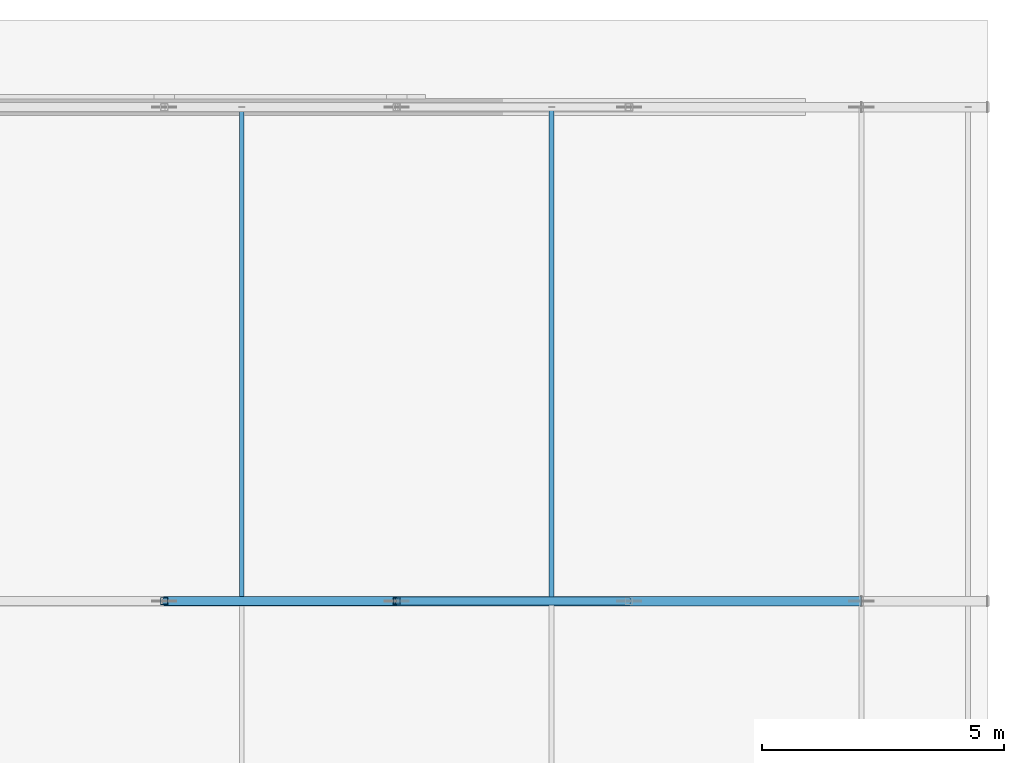
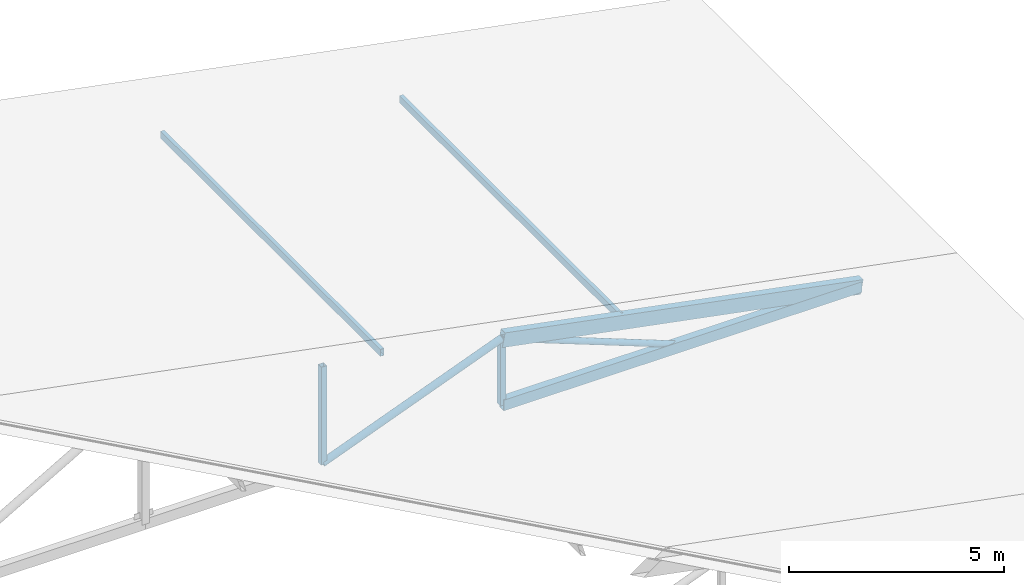
# One storey, part 77 of 200: 8 members.
"""IFC4 building model written with IfcOpenShell, lengths in metres."""

from ifc_helpers import new_model, si_unit, direction, frame, origin, origin_2d, place, context, subcontext, project, spatial, hollow_rectangle, hollow_circle, extrude, material, material_profile, profile_set, type_object, element, save


model = new_model("IFC4")

# Units and contexts
model_context = context("Model", 3, precision=1e-05, world=origin(), true_north=direction((0.0, 1.0)))
body_context = subcontext(model_context, "Body", "Model", "MODEL_VIEW")
ifc_project = project(units=[si_unit("LENGTHUNIT", "METRE"), si_unit("AREAUNIT", "SQUARE_METRE"), si_unit("VOLUMEUNIT", "CUBIC_METRE"), si_unit("PLANEANGLEUNIT", "RADIAN"), si_unit("MASSUNIT", "GRAM", prefix="KILO")], contexts=[model_context])

# Site, building, storey
site_placement = place(None, origin())
site = spatial("IfcSite", under=ifc_project, at=site_placement, CompositionType="ELEMENT")
building_placement = place(site_placement, origin())
building = spatial("IfcBuilding", under=site, at=building_placement, Name="Vondelvale Polytechnic", CompositionType="ELEMENT")
storey_placement = place(building_placement, frame((0.0, 0.0, 13.800048828125)))
storey = spatial("IfcBuildingStorey", under=building, at=storey_placement, Name="L03", CompositionType="ELEMENT", Elevation=13.800048828125)

# Members
ifc_material = material(Name="Steel C350L0 (fy = 350 MPa)", Category="steel")
ifc_material_profile_1 = material_profile(ifc_material, hollow_rectangle(XDim=0.10009765625, YDim=0.199951171875, WallThickness=0.006103515625, at=origin_2d()), Name="200x100x6.0RHS")
ifc_profile_set_1 = profile_set([ifc_material_profile_1], Name="Steel C350L0 (fy = 350 MPa)")
member_type_1 = type_object("IfcMemberType", Name="PURLIN RHS200", PredefinedType="PURLIN", material=ifc_profile_set_1)
for number, where, z_axis, x_axis, name in (
    (1, (35.199951171875, 112.199951171875, 2.14794921875), (0.0, 1.0, 0.0), (-1.0, 0.0, 0.0), "Workshop roof purlin bay 7"),
    (2, (41.60009765625, 112.199951171875, 0.91455078125), (0.0, 1.0, 0.0), (-1.0, 0.0, 0.0), "Workshop roof purlin bay 7"),
):
    element("IfcMember", number, at=place(storey_placement, frame(where, z_axis=z_axis, x_axis=x_axis)), inside=storey, type_object=member_type_1, Name=name, PredefinedType="PURLIN", context=body_context, shape_type="SweptSolid", body=[
        extrude(hollow_rectangle(XDim=0.10009765625, YDim=0.199951171875, WallThickness=0.006103515625, at=origin_2d()), origin(), (0.0, 0.0, 1.0), 10.199951171875),
    ])
ifc_material_profile_2 = material_profile(ifc_material, hollow_rectangle(XDim=0.199951171875, YDim=0.300048828125, WallThickness=0.008056640625, at=origin_2d()), Name="300x200x8.0RHS")
ifc_profile_set_2 = profile_set([ifc_material_profile_2], Name="Steel C350L0 (fy = 350 MPa)")
member_type_2 = type_object("IfcMemberType", Name="ROOF TRUSS BOT CHORD 300RHS", PredefinedType="CHORD", material=ifc_profile_set_2)
member_1_placement = place(storey_placement, frame((38.39990234375, 112.199951171875, -0.420166015625), z_axis=(1.0, 0.0, 0.0), x_axis=(0.0, 1.0, 0.0)))
element("IfcMember", 3, at=member_1_placement, inside=storey, type_object=member_type_2, Name="ROOF TRUSS TR-07 bottom chord 3", PredefinedType="CHORD", context=body_context, shape_type="SweptSolid", body=[
    extrude(hollow_rectangle(XDim=0.199951171875, YDim=0.300048828125, WallThickness=0.008056640625, at=origin_2d()), origin(), (0.0, 0.0, 1.0), 9.60009765625),
])
ifc_material_profile_3 = material_profile(ifc_material, hollow_circle(Radius=0.084228515625, WallThickness=0.00634765625, at=origin_2d()), Name="168.3x6.4CHS")
ifc_profile_set_3 = profile_set([ifc_material_profile_3], Name="Steel C350L0 (fy = 350 MPa)")
member_type_3 = type_object("IfcMemberType", Name="ROOF TRUSS BRACE 168CHS", PredefinedType="BRACE", material=ifc_profile_set_3)
member_2_placement = place(storey_placement, frame((38.39990234375, 112.199951171875, 1.429931640625), z_axis=(0.933089727442, 0.0, -0.359643657726), x_axis=(0.0, 1.0, 0.0)))
element("IfcMember", 4, at=member_2_placement, inside=storey, type_object=member_type_3, Name="ROOF TRUSS TR-07 web diagonal 8", PredefinedType="BRACE", context=body_context, shape_type="SweptSolid", body=[
    extrude(hollow_circle(Radius=0.084228515625, WallThickness=0.00634765625, at=origin_2d()), origin(), (0.0, 0.0, 1.0), 5.144287109375),
])
ifc_material_profile_4 = material_profile(ifc_material, hollow_circle(Radius=0.096923828125, WallThickness=0.00634765625, at=origin_2d()), Name="193.7x6.4CHS")
ifc_profile_set_4 = profile_set([ifc_material_profile_4], Name="Steel C350L0 (fy = 350 MPa)")
member_type_4 = type_object("IfcMemberType", Name="ROOF TRUSS BRACE 193CHS", PredefinedType="BRACE", material=ifc_profile_set_4)
member_3_placement = place(storey_placement, frame((33.60009765625, 112.199951171875, -0.420166015625), z_axis=(0.933083588529, 0.0, 0.359659584632), x_axis=(0.0, 1.0, 0.0)))
element("IfcMember", 5, at=member_3_placement, inside=storey, type_object=member_type_4, Name="ROOF TRUSS TR-07 web diagonal 7", PredefinedType="BRACE", context=body_context, shape_type="SweptSolid", body=[
    extrude(hollow_circle(Radius=0.096923828125, WallThickness=0.00634765625, at=origin_2d()), origin(), (0.0, 0.0, 1.0), 5.14404296875),
])
ifc_material_profile_5 = material_profile(ifc_material, hollow_rectangle(XDim=0.14990234375, YDim=0.14990234375, WallThickness=0.006103515625, at=origin_2d()), Name="150x150x6.0SHS")
ifc_profile_set_5 = profile_set([ifc_material_profile_5], Name="Steel C350L0 (fy = 350 MPa)")
member_type_5 = type_object("IfcMemberType", Name="ROOF TRUSS POST 150SHS", PredefinedType="POST", material=ifc_profile_set_5)
member_4_placement = place(storey_placement, frame((33.60009765625, 112.199951171875, -0.420166015625), z_axis=(0.0, 0.0, 1.0), x_axis=(1.0, 0.0, 0.0)))
element("IfcMember", 6, at=member_4_placement, inside=storey, type_object=member_type_5, Name="ROOF TRUSS TR-07 vertical post 6", PredefinedType="POST", context=body_context, shape_type="SweptSolid", body=[
    extrude(hollow_rectangle(XDim=0.14990234375, YDim=0.14990234375, WallThickness=0.006103515625, at=origin_2d()), origin(), (0.0, 0.0, 1.0), 2.775146484375),
])
member_5_placement = place(storey_placement, frame((38.39990234375, 112.199951171875, -0.420166015625), z_axis=(0.0, 0.0, 1.0), x_axis=(1.0, 0.0, 0.0)))
element("IfcMember", 7, at=member_5_placement, inside=storey, type_object=member_type_5, Name="ROOF TRUSS TR-07 vertical post 7", PredefinedType="POST", context=body_context, shape_type="SweptSolid", body=[
    extrude(hollow_rectangle(XDim=0.14990234375, YDim=0.14990234375, WallThickness=0.006103515625, at=origin_2d()), origin(), (0.0, 0.0, 1.0), 1.85009765625),
])
ifc_material_profile_6 = material_profile(ifc_material, hollow_rectangle(XDim=0.199951171875, YDim=0.39990234375, WallThickness=0.010009765625, at=origin_2d()), Name="400x200x10.0RHS")
ifc_profile_set_6 = profile_set([ifc_material_profile_6], Name="Steel C350L0 (fy = 350 MPa)")
member_type_6 = type_object("IfcMemberType", Name="ROOF TRUSS TOP CHORD 400RHS", PredefinedType="CHORD", material=ifc_profile_set_6)
member_6_placement = place(storey_placement, frame((38.39990234375, 112.199951171875, 1.429931640625), z_axis=(0.981931919064, 0.0, -0.189234527304), x_axis=(0.0, 1.0, 0.0)))
element("IfcMember", 8, at=member_6_placement, inside=storey, type_object=member_type_6, Name="ROOF TRUSS TR-07 top chord 5", PredefinedType="CHORD", context=body_context, shape_type="SweptSolid", body=[
    extrude(hollow_rectangle(XDim=0.199951171875, YDim=0.39990234375, WallThickness=0.010009765625, at=origin_2d()), origin(), (0.0, 0.0, 1.0), 9.77685546875),
])

save(model, "model.ifc")
